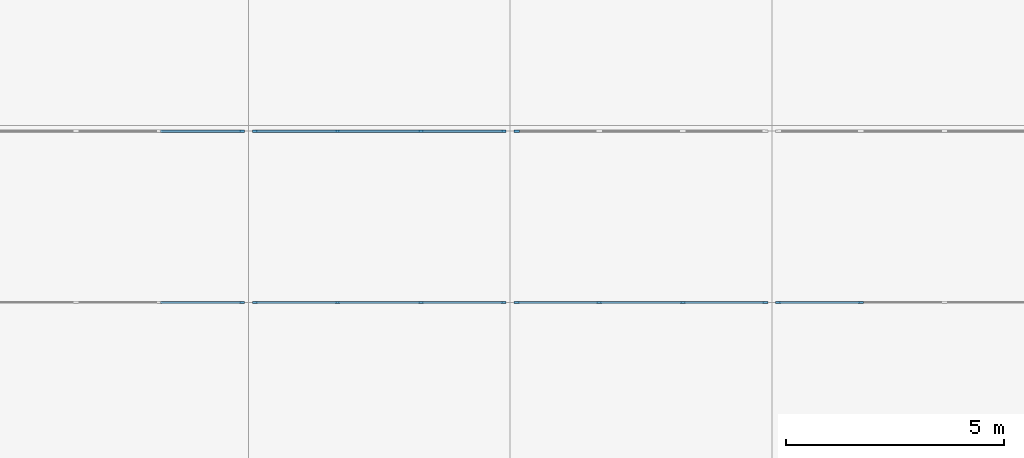
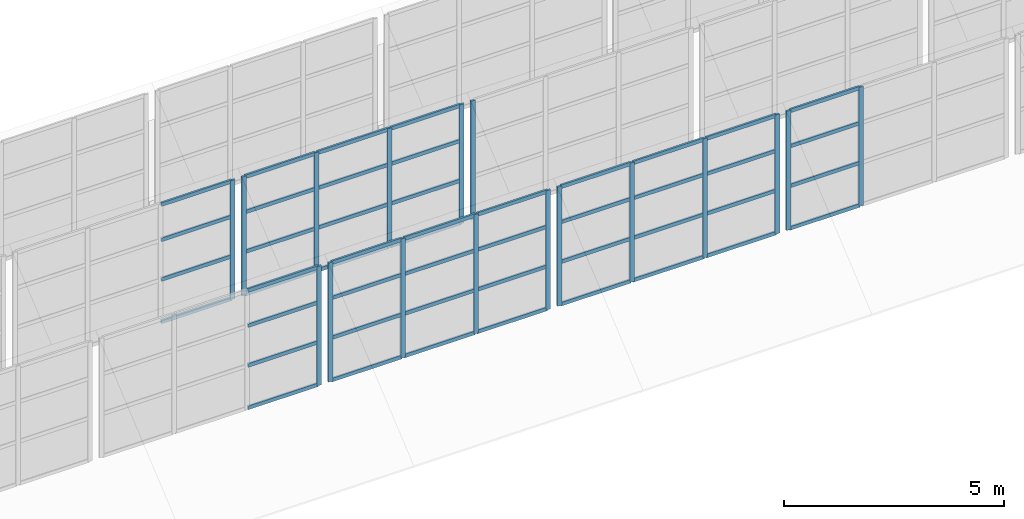
# One storey, part 29 of 122: 65 members, 7 elements without a shape of their own.
"""IFC4 building model written with IfcOpenShell, lengths in metres."""

import ifcopenshell
import ifcopenshell.guid

model = None  # the IFC model being written
_history = None  # IfcOwnerHistory: only IFC2X3 demands one
_inside = {}  # id of a spatial element -> (the spatial element, [elements in it])
_under = {}  # id of a project, library or spatial element -> (it, [spatial elements below it])
_declared = {}  # id of a project -> (the project, [libraries it declares])
_typed = {}  # id of a type object -> (the type object, [elements of that type])
_made_of = {}  # id of a material, layer set ... -> (it, [elements and type objects made of it])


def new_model(schema):
    """Start an empty IFC model of exactly this schema.

    Asked for "IFC4X3", IfcOpenShell would pick the latest addendum, in which some entities
    have other attributes; the version numbers below select the first issue.
    IFC2X3 requires an IfcOwnerHistory on every rooted entity: one is made here for all.
    """
    global model, _history
    if schema == "IFC4X3":
        model = ifcopenshell.file(schema_version=(4, 3, 0, 0))
    else:
        model = ifcopenshell.file(schema=schema)
    _inside.clear()
    _under.clear()
    _declared.clear()
    _typed.clear()
    _made_of.clear()
    _history = None
    if model.schema == "IFC2X3":
        org = make("IfcOrganization", Name="unknown")
        user = make(
            "IfcPersonAndOrganization",
            ThePerson=make("IfcPerson", FamilyName="unknown"),
            TheOrganization=org,
        )
        app = make(
            "IfcApplication",
            ApplicationDeveloper=org,
            Version="unknown",
            ApplicationFullName="unknown",
            ApplicationIdentifier="unknown",
        )
        _history = make(
            "IfcOwnerHistory",
            OwningUser=user,
            OwningApplication=app,
            ChangeAction="ADDED",
            CreationDate=0,
        )
    return model


def make(cls, **values):
    """One entity of the class cls with the attributes given. An attribute that is None is left unset."""
    return model.create_entity(
        cls, **{name: value for name, value in values.items() if value is not None}
    )


def rooted(cls, **values):
    """An entity with a GlobalId (a new one), such as an element, a storey or a relation."""
    return make(cls, GlobalId=ifcopenshell.guid.new(), OwnerHistory=_history, **values)


def si_unit(unit_type, name, prefix=None):
    """IfcSIUnit, for example si_unit("LENGTHUNIT", "METRE", prefix="MILLI")."""
    return make("IfcSIUnit", UnitType=unit_type, Prefix=prefix, Name=name)


def assignment(units):
    """IfcUnitAssignment: the units of a project."""
    return None if units is None else make("IfcUnitAssignment", Units=units)


def point(xyz):
    """IfcCartesianPoint."""
    return None if xyz is None else make("IfcCartesianPoint", Coordinates=xyz)


def direction(xyz):
    """IfcDirection."""
    return None if xyz is None else make("IfcDirection", DirectionRatios=xyz)


def frame(location, z_axis=None, x_axis=None):
    """IfcAxis2Placement3D, a coordinate frame: its origin and axes. An axis left out is left unset."""
    return make(
        "IfcAxis2Placement3D",
        Location=point(location),
        Axis=direction(z_axis),
        RefDirection=direction(x_axis),
    )


def frame_2d(location, x_axis=None):
    """IfcAxis2Placement2D, a coordinate frame in the plane: its origin and x axis."""
    return make(
        "IfcAxis2Placement2D", Location=point(location), RefDirection=direction(x_axis)
    )


def origin():
    """The frame at (0, 0, 0) with its axes left unset."""
    return frame((0.0, 0.0, 0.0))


def origin_2d():
    """The frame at (0, 0) in the plane with its x axis left unset."""
    return frame_2d((0.0, 0.0))


def place(relative_to, where):
    """IfcLocalPlacement: puts the frame where relative to a parent placement (None: the world)."""
    return make(
        "IfcLocalPlacement", PlacementRelTo=relative_to, RelativePlacement=where
    )


def context(
    kind, dimensions, precision=None, world=None, true_north=None, identifier=None
):
    """IfcGeometricRepresentationContext, for example the 3D "Model" context."""
    return make(
        "IfcGeometricRepresentationContext",
        ContextIdentifier=identifier,
        ContextType=kind,
        CoordinateSpaceDimension=dimensions,
        Precision=precision,
        WorldCoordinateSystem=world,
        TrueNorth=true_north,
    )


def subcontext(parent, identifier, kind, view, scale=None):
    """IfcGeometricRepresentationSubContext, for example "Body" below "Model"."""
    return make(
        "IfcGeometricRepresentationSubContext",
        ContextIdentifier=identifier,
        ContextType=kind,
        ParentContext=parent,
        TargetScale=scale,
        TargetView=view,
    )


def project(units=None, contexts=None):
    """IfcProject with its units and contexts."""
    return rooted(
        "IfcProject",
        Name="project",
        RepresentationContexts=contexts,
        UnitsInContext=assignment(units),
    )


def spatial(cls, under=None, at=None, **own):
    """A site, building, storey or space (cls), placed at a placement, below another one or the project."""
    s = rooted(cls, ObjectPlacement=at, **own)
    if under is not None:
        _under.setdefault(under.id(), (under, []))[1].append(s)
    return s


def profile(cls, at=None, kind="AREA", **sizes):
    """A parametric profile (cls). Its sizes go by their IFC names, for example OverallWidth=200.0."""
    return make(cls, ProfileType=kind, Position=at, **sizes)


def rectangle(**sizes):
    """IfcRectangleProfileDef."""
    return profile("IfcRectangleProfileDef", **sizes)


def extrude(swept, where, along, depth):
    """IfcExtrudedAreaSolid: the profile swept, set in the frame where, extruded along a direction by depth."""
    return make(
        "IfcExtrudedAreaSolid",
        SweptArea=swept,
        Position=where,
        ExtrudedDirection=direction(along),
        Depth=depth,
    )


def shape(context_of_items, identifier, shape_type, items):
    """IfcShapeRepresentation: the items that make up one representation, for example the "Body"."""
    return make(
        "IfcShapeRepresentation",
        ContextOfItems=context_of_items,
        RepresentationIdentifier=identifier,
        RepresentationType=shape_type,
        Items=items,
    )


def material(Name=None, Category=None):
    """IfcMaterial."""
    return make("IfcMaterial", Name=Name, Category=Category)


def layer(
    of_material, thickness, ventilated=None, Name=None, Category=None, Priority=None
):
    """IfcMaterialLayer: one layer of a wall or slab, of a material (None: an air gap)."""
    return make(
        "IfcMaterialLayer",
        Material=of_material,
        LayerThickness=thickness,
        IsVentilated=ventilated,
        Name=Name,
        Category=Category,
        Priority=Priority,
    )


def layer_set(layers, Name=None):
    """IfcMaterialLayerSet."""
    return make("IfcMaterialLayerSet", MaterialLayers=layers, LayerSetName=Name)


def material_profile(
    of_material, cross_section, Name=None, Category=None, Priority=None
):
    """IfcMaterialProfile: a cross section and its material."""
    return make(
        "IfcMaterialProfile",
        Name=Name,
        Material=of_material,
        Profile=cross_section,
        Priority=Priority,
        Category=Category,
    )


def profile_set(profiles, Name=None, composite=None):
    """IfcMaterialProfileSet."""
    return make(
        "IfcMaterialProfileSet",
        Name=Name,
        MaterialProfiles=profiles,
        CompositeProfile=composite,
    )


def made_of(thing, what):
    """Note that an element or type object is made of a material, layer set ...; save() writes the relation."""
    if what is not None:
        _made_of.setdefault(what.id(), (what, []))[1].append(thing)
    return thing


def type_object(cls, material=None, **own):
    """A type object (cls), such as IfcWallType, which elements share."""
    return made_of(rooted(cls, **own), material)


def element(
    cls,
    number,
    at=None,
    inside=None,
    cuts=None,
    type_object=None,
    material=None,
    context=None,
    identifier="Body",
    shape_type=None,
    held_by="IfcProductDefinitionShape",
    body=None,
    shapes=None,
    **own,
):
    """One element of the class cls, such as IfcWall. Its Tag is "e" and its number.

    at: its placement. inside: the storey or other place that contains it. cuts: it is an
    opening in that element (IfcRelVoidsElement). A single representation is given by context,
    identifier, shape_type and body (its items); several are given by shapes. held_by: the class
    of the entity that holds the representations. save() writes the other relations.
    """
    e = rooted(cls, Tag="e%d" % number, ObjectPlacement=at, **own)
    if body is not None:
        shapes = [shape(context, identifier, shape_type, body)]
    if shapes is not None:
        e.Representation = make(held_by, Representations=shapes)
    if inside is not None:
        _inside.setdefault(inside.id(), (inside, []))[1].append(e)
    if cuts is not None:
        rooted(
            "IfcRelVoidsElement", RelatingBuildingElement=cuts, RelatedOpeningElement=e
        )
    if type_object is not None:
        _typed.setdefault(type_object.id(), (type_object, []))[1].append(e)
    return made_of(e, material)


def aggregate(whole, parts):
    """IfcRelAggregates: a whole, such as a stair, and the parts it consists of."""
    return rooted("IfcRelAggregates", RelatingObject=whole, RelatedObjects=parts)


def save(model, path):
    """Write the relations noted so far, then the file.

    IfcRelAggregates (storeys below a building ...), IfcRelContainedInSpatialStructure (elements
    in a storey), IfcRelDefinesByType, IfcRelAssociatesMaterial and IfcRelDeclares: one each for
    every whole, place, type object, material and project.
    """
    for whole, parts in _under.values():
        aggregate(whole, parts)
    for where, things in _inside.values():
        rooted(
            "IfcRelContainedInSpatialStructure",
            RelatedElements=things,
            RelatingStructure=where,
        )
    for kind, things in _typed.values():
        rooted("IfcRelDefinesByType", RelatedObjects=things, RelatingType=kind)
    for what, things in _made_of.values():
        rooted("IfcRelAssociatesMaterial", RelatedObjects=things, RelatingMaterial=what)
    for by, libraries in _declared.values():
        rooted("IfcRelDeclares", RelatingContext=by, RelatedDefinitions=libraries)
    model.write(path)


model = new_model("IFC4")

# Units and contexts
model_context = context("Model", 3, precision=1e-05, world=origin(), true_north=direction((0.0, 1.0)))
body_context = subcontext(model_context, "Body", "Model", "MODEL_VIEW")
ifc_project = project(units=[si_unit("LENGTHUNIT", "METRE"), si_unit("AREAUNIT", "SQUARE_METRE"), si_unit("VOLUMEUNIT", "CUBIC_METRE"), si_unit("PLANEANGLEUNIT", "RADIAN"), si_unit("MASSUNIT", "GRAM", prefix="KILO")], contexts=[model_context])

# Site, building, storey
site_placement = place(None, origin())
site = spatial("IfcSite", under=ifc_project, at=site_placement, CompositionType="ELEMENT")
building_placement = place(site_placement, origin())
building = spatial("IfcBuilding", under=site, at=building_placement, Name="Ridgestep Commons", CompositionType="ELEMENT")
storey_placement = place(building_placement, frame((0.0, 0.0, 3.0)))
storey = spatial("IfcBuildingStorey", under=building, at=storey_placement, Name="L01", CompositionType="ELEMENT", Elevation=3.0)

# Curtain wall, member
ifc_material_1 = material(Name="Aluminium and glass", Category="aluminium")
ifc_layer = layer(ifc_material_1, 0.14990234375)
ifc_layer_set = layer_set([ifc_layer], Name="Shop clerestory curtain wall")
curtain_wall_type = type_object("IfcCurtainWallType", Name="Shop clerestory curtain wall", PredefinedType="NOTDEFINED", material=ifc_layer_set)
curtain_wall_1_placement = place(storey_placement, origin())
curtain_wall_1 = element("IfcCurtainWall", 1, at=curtain_wall_1_placement, inside=storey, type_object=curtain_wall_type, Name="Shop clerestory curtain wall", PredefinedType="NOTDEFINED")
ifc_material_2 = material(Name="Aluminium", Category="aluminium")
ifc_material_profile_1 = material_profile(ifc_material_2, rectangle(XDim=0.050048828125, YDim=0.1201171875, at=origin_2d()), Name="Shop clerestory mullion 50 x 120")
ifc_profile_set_1 = profile_set([ifc_material_profile_1], Name="Aluminium")
member_type_1 = type_object("IfcMemberType", Name="Shop clerestory mullion 50 x 120", PredefinedType="MULLION", material=ifc_profile_set_1)
member_1_placement = place(storey_placement, frame((193.64990234375, 38.050048828125, 1.199951171875), z_axis=(0.0, 0.0, 1.0), x_axis=(0.0, 1.0, 0.0)))
member_1 = element("IfcMember", 2, at=member_1_placement, type_object=member_type_1, Name="CW5 mullion 4", PredefinedType="MULLION", context=body_context, shape_type="SweptSolid", body=[
    extrude(rectangle(XDim=0.050048828125, YDim=0.1201171875, at=origin_2d()), origin(), (0.0, 0.0, 1.0), 3.300048828125),
])

curtain_wall_2_placement = place(storey_placement, origin())
curtain_wall_2 = element("IfcCurtainWall", 3, at=curtain_wall_2_placement, inside=storey, type_object=curtain_wall_type, Name="Shop clerestory curtain wall", PredefinedType="NOTDEFINED")
member_2_placement = place(storey_placement, frame((193.64990234375, 41.97509765625, 1.199951171875), z_axis=(0.0, 0.0, 1.0), x_axis=(0.0, 1.0, 0.0)))
member_2 = element("IfcMember", 4, at=member_2_placement, type_object=member_type_1, Name="CW5 mullion 4", PredefinedType="MULLION", context=body_context, shape_type="SweptSolid", body=[
    extrude(rectangle(XDim=0.050048828125, YDim=0.1201171875, at=origin_2d()), origin(), (0.0, 0.0, 1.0), 3.300048828125),
])

# Curtain wall, members
curtain_wall_3_placement = place(storey_placement, origin())
curtain_wall_3 = element("IfcCurtainWall", 5, at=curtain_wall_3_placement, inside=storey, type_object=curtain_wall_type, Name="Shop clerestory curtain wall", PredefinedType="NOTDEFINED")
member_3_placement = place(storey_placement, frame((193.949951171875, 38.050048828125, 1.199951171875), z_axis=(0.0, 0.0, 1.0), x_axis=(0.0, 1.0, 0.0)))
member_3 = element("IfcMember", 6, at=member_3_placement, type_object=member_type_1, Name="CW5 mullion 1", PredefinedType="MULLION", context=body_context, shape_type="SweptSolid", body=[
    extrude(rectangle(XDim=0.050048828125, YDim=0.1201171875, at=origin_2d()), origin(), (0.0, 0.0, 1.0), 3.300048828125),
])
member_4_placement = place(storey_placement, frame((195.841552734375, 38.050048828125, 1.199951171875), z_axis=(0.0, 0.0, 1.0), x_axis=(0.0, 1.0, 0.0)))
member_4 = element("IfcMember", 7, at=member_4_placement, type_object=member_type_1, Name="CW5 mullion 2", PredefinedType="MULLION", context=body_context, shape_type="SweptSolid", body=[
    extrude(rectangle(XDim=0.050048828125, YDim=0.1201171875, at=origin_2d()), origin(), (0.0, 0.0, 1.0), 3.300048828125),
])
member_5_placement = place(storey_placement, frame((197.75830078125, 38.050048828125, 1.199951171875), z_axis=(0.0, 0.0, 1.0), x_axis=(0.0, 1.0, 0.0)))
member_5 = element("IfcMember", 8, at=member_5_placement, type_object=member_type_1, Name="CW5 mullion 3", PredefinedType="MULLION", context=body_context, shape_type="SweptSolid", body=[
    extrude(rectangle(XDim=0.050048828125, YDim=0.1201171875, at=origin_2d()), origin(), (0.0, 0.0, 1.0), 3.300048828125),
])
member_6_placement = place(storey_placement, frame((199.64990234375, 38.050048828125, 1.199951171875), z_axis=(0.0, 0.0, 1.0), x_axis=(0.0, 1.0, 0.0)))
member_6 = element("IfcMember", 9, at=member_6_placement, type_object=member_type_1, Name="CW5 mullion 4", PredefinedType="MULLION", context=body_context, shape_type="SweptSolid", body=[
    extrude(rectangle(XDim=0.050048828125, YDim=0.1201171875, at=origin_2d()), origin(), (0.0, 0.0, 1.0), 3.300048828125),
])

curtain_wall_4_placement = place(storey_placement, origin())
curtain_wall_4 = element("IfcCurtainWall", 10, at=curtain_wall_4_placement, inside=storey, type_object=curtain_wall_type, Name="Shop clerestory curtain wall", PredefinedType="NOTDEFINED")
member_7_placement = place(storey_placement, frame((193.949951171875, 41.97509765625, 1.199951171875), z_axis=(0.0, 0.0, 1.0), x_axis=(0.0, 1.0, 0.0)))
member_7 = element("IfcMember", 11, at=member_7_placement, type_object=member_type_1, Name="CW5 mullion 1", PredefinedType="MULLION", context=body_context, shape_type="SweptSolid", body=[
    extrude(rectangle(XDim=0.050048828125, YDim=0.1201171875, at=origin_2d()), origin(), (0.0, 0.0, 1.0), 3.300048828125),
])
member_8_placement = place(storey_placement, frame((195.841552734375, 41.97509765625, 1.199951171875), z_axis=(0.0, 0.0, 1.0), x_axis=(0.0, 1.0, 0.0)))
member_8 = element("IfcMember", 12, at=member_8_placement, type_object=member_type_1, Name="CW5 mullion 2", PredefinedType="MULLION", context=body_context, shape_type="SweptSolid", body=[
    extrude(rectangle(XDim=0.050048828125, YDim=0.1201171875, at=origin_2d()), origin(), (0.0, 0.0, 1.0), 3.300048828125),
])
member_9_placement = place(storey_placement, frame((197.75830078125, 41.97509765625, 1.199951171875), z_axis=(0.0, 0.0, 1.0), x_axis=(0.0, 1.0, 0.0)))
member_9 = element("IfcMember", 13, at=member_9_placement, type_object=member_type_1, Name="CW5 mullion 3", PredefinedType="MULLION", context=body_context, shape_type="SweptSolid", body=[
    extrude(rectangle(XDim=0.050048828125, YDim=0.1201171875, at=origin_2d()), origin(), (0.0, 0.0, 1.0), 3.300048828125),
])
member_10_placement = place(storey_placement, frame((199.64990234375, 41.97509765625, 1.199951171875), z_axis=(0.0, 0.0, 1.0), x_axis=(0.0, 1.0, 0.0)))
member_10 = element("IfcMember", 14, at=member_10_placement, type_object=member_type_1, Name="CW5 mullion 4", PredefinedType="MULLION", context=body_context, shape_type="SweptSolid", body=[
    extrude(rectangle(XDim=0.050048828125, YDim=0.1201171875, at=origin_2d()), origin(), (0.0, 0.0, 1.0), 3.300048828125),
])

curtain_wall_5_placement = place(storey_placement, origin())
curtain_wall_5 = element("IfcCurtainWall", 15, at=curtain_wall_5_placement, inside=storey, type_object=curtain_wall_type, Name="Shop clerestory curtain wall", PredefinedType="NOTDEFINED")
member_11_placement = place(storey_placement, frame((199.949951171875, 38.050048828125, 1.199951171875), z_axis=(0.0, 0.0, 1.0), x_axis=(0.0, 1.0, 0.0)))
member_11 = element("IfcMember", 16, at=member_11_placement, type_object=member_type_1, Name="CW5 mullion 1", PredefinedType="MULLION", context=body_context, shape_type="SweptSolid", body=[
    extrude(rectangle(XDim=0.050048828125, YDim=0.1201171875, at=origin_2d()), origin(), (0.0, 0.0, 1.0), 3.300048828125),
])
member_12_placement = place(storey_placement, frame((201.841552734375, 38.050048828125, 1.199951171875), z_axis=(0.0, 0.0, 1.0), x_axis=(0.0, 1.0, 0.0)))
member_12 = element("IfcMember", 17, at=member_12_placement, type_object=member_type_1, Name="CW5 mullion 2", PredefinedType="MULLION", context=body_context, shape_type="SweptSolid", body=[
    extrude(rectangle(XDim=0.050048828125, YDim=0.1201171875, at=origin_2d()), origin(), (0.0, 0.0, 1.0), 3.300048828125),
])
member_13_placement = place(storey_placement, frame((203.75830078125, 38.050048828125, 1.199951171875), z_axis=(0.0, 0.0, 1.0), x_axis=(0.0, 1.0, 0.0)))
member_13 = element("IfcMember", 18, at=member_13_placement, type_object=member_type_1, Name="CW5 mullion 3", PredefinedType="MULLION", context=body_context, shape_type="SweptSolid", body=[
    extrude(rectangle(XDim=0.050048828125, YDim=0.1201171875, at=origin_2d()), origin(), (0.0, 0.0, 1.0), 3.300048828125),
])
member_14_placement = place(storey_placement, frame((205.64990234375, 38.050048828125, 1.199951171875), z_axis=(0.0, 0.0, 1.0), x_axis=(0.0, 1.0, 0.0)))
member_14 = element("IfcMember", 19, at=member_14_placement, type_object=member_type_1, Name="CW5 mullion 4", PredefinedType="MULLION", context=body_context, shape_type="SweptSolid", body=[
    extrude(rectangle(XDim=0.050048828125, YDim=0.1201171875, at=origin_2d()), origin(), (0.0, 0.0, 1.0), 3.300048828125),
])

# Curtain wall, member
curtain_wall_6_placement = place(storey_placement, origin())
curtain_wall_6 = element("IfcCurtainWall", 20, at=curtain_wall_6_placement, inside=storey, type_object=curtain_wall_type, Name="Shop clerestory curtain wall", PredefinedType="NOTDEFINED")
member_15_placement = place(storey_placement, frame((199.949951171875, 41.97509765625, 1.199951171875), z_axis=(0.0, 0.0, 1.0), x_axis=(0.0, 1.0, 0.0)))
member_15 = element("IfcMember", 21, at=member_15_placement, type_object=member_type_1, Name="CW5 mullion 1", PredefinedType="MULLION", context=body_context, shape_type="SweptSolid", body=[
    extrude(rectangle(XDim=0.050048828125, YDim=0.1201171875, at=origin_2d()), origin(), (0.0, 0.0, 1.0), 3.300048828125),
])
aggregate(curtain_wall_6, [member_15])

# Curtain wall, members
curtain_wall_7_placement = place(storey_placement, origin())
curtain_wall_7 = element("IfcCurtainWall", 22, at=curtain_wall_7_placement, inside=storey, type_object=curtain_wall_type, Name="Shop clerestory curtain wall", PredefinedType="NOTDEFINED")
member_16_placement = place(storey_placement, frame((205.949951171875, 38.050048828125, 1.199951171875), z_axis=(0.0, 0.0, 1.0), x_axis=(0.0, 1.0, 0.0)))
member_16 = element("IfcMember", 23, at=member_16_placement, type_object=member_type_1, Name="CW5 mullion 1", PredefinedType="MULLION", context=body_context, shape_type="SweptSolid", body=[
    extrude(rectangle(XDim=0.050048828125, YDim=0.1201171875, at=origin_2d()), origin(), (0.0, 0.0, 1.0), 3.300048828125),
])
member_17_placement = place(storey_placement, frame((207.841552734375, 38.050048828125, 1.199951171875), z_axis=(0.0, 0.0, 1.0), x_axis=(0.0, 1.0, 0.0)))
member_17 = element("IfcMember", 24, at=member_17_placement, type_object=member_type_1, Name="CW5 mullion 2", PredefinedType="MULLION", context=body_context, shape_type="SweptSolid", body=[
    extrude(rectangle(XDim=0.050048828125, YDim=0.1201171875, at=origin_2d()), origin(), (0.0, 0.0, 1.0), 3.300048828125),
])

# Member
ifc_material_3 = material(Name="Aluminium", Category="aluminium")
ifc_material_profile_2 = material_profile(ifc_material_3, rectangle(XDim=0.050048828125, YDim=0.10009765625, at=origin_2d()), Name="Shop clerestory transom 50 x 100")
ifc_profile_set_2 = profile_set([ifc_material_profile_2], Name="Aluminium")
member_type_2 = type_object("IfcMemberType", Name="Shop clerestory transom 50 x 100", PredefinedType="USERDEFINED", material=ifc_profile_set_2)
member_18_placement = place(storey_placement, frame((191.783447265625, 38.050048828125, 1.22509765625), z_axis=(1.0, 0.0, 0.0), x_axis=(0.0, 1.0, 0.0)))
member_18 = element("IfcMember", 25, at=member_18_placement, type_object=member_type_2, Name="CW5 transom 3.1", ObjectType="TRANSOM", PredefinedType="USERDEFINED", context=body_context, shape_type="SweptSolid", body=[
    extrude(rectangle(XDim=0.050048828125, YDim=0.10009765625, at=origin_2d()), origin(), (0.0, 0.0, 1.0), 1.841552734375),
])

member_19_placement = place(storey_placement, frame((191.783447265625, 38.050048828125, 2.39990234375), z_axis=(1.0, 0.0, 0.0), x_axis=(0.0, 1.0, 0.0)))
member_19 = element("IfcMember", 26, at=member_19_placement, type_object=member_type_2, Name="CW5 transom 3.2", ObjectType="TRANSOM", PredefinedType="USERDEFINED", context=body_context, shape_type="SweptSolid", body=[
    extrude(rectangle(XDim=0.050048828125, YDim=0.10009765625, at=origin_2d()), origin(), (0.0, 0.0, 1.0), 1.841552734375),
])

member_20_placement = place(storey_placement, frame((191.783447265625, 38.050048828125, 3.5), z_axis=(1.0, 0.0, 0.0), x_axis=(0.0, 1.0, 0.0)))
member_20 = element("IfcMember", 27, at=member_20_placement, type_object=member_type_2, Name="CW5 transom 3.3", ObjectType="TRANSOM", PredefinedType="USERDEFINED", context=body_context, shape_type="SweptSolid", body=[
    extrude(rectangle(XDim=0.050048828125, YDim=0.10009765625, at=origin_2d()), origin(), (0.0, 0.0, 1.0), 1.841552734375),
])

member_21_placement = place(storey_placement, frame((191.783447265625, 38.050048828125, 4.47509765625), z_axis=(1.0, 0.0, 0.0), x_axis=(0.0, 1.0, 0.0)))
member_21 = element("IfcMember", 28, at=member_21_placement, type_object=member_type_2, Name="CW5 transom 3.4", ObjectType="TRANSOM", PredefinedType="USERDEFINED", context=body_context, shape_type="SweptSolid", body=[
    extrude(rectangle(XDim=0.050048828125, YDim=0.10009765625, at=origin_2d()), origin(), (0.0, 0.0, 1.0), 1.841552734375),
])

aggregate(curtain_wall_1, [member_1, member_18, member_19, member_20, member_21])

member_22_placement = place(storey_placement, frame((191.783447265625, 41.97509765625, 1.22509765625), z_axis=(1.0, 0.0, 0.0), x_axis=(0.0, 1.0, 0.0)))
member_22 = element("IfcMember", 29, at=member_22_placement, type_object=member_type_2, Name="CW5 transom 3.1", ObjectType="TRANSOM", PredefinedType="USERDEFINED", context=body_context, shape_type="SweptSolid", body=[
    extrude(rectangle(XDim=0.050048828125, YDim=0.10009765625, at=origin_2d()), origin(), (0.0, 0.0, 1.0), 1.841552734375),
])

member_23_placement = place(storey_placement, frame((191.783447265625, 41.97509765625, 2.39990234375), z_axis=(1.0, 0.0, 0.0), x_axis=(0.0, 1.0, 0.0)))
member_23 = element("IfcMember", 30, at=member_23_placement, type_object=member_type_2, Name="CW5 transom 3.2", ObjectType="TRANSOM", PredefinedType="USERDEFINED", context=body_context, shape_type="SweptSolid", body=[
    extrude(rectangle(XDim=0.050048828125, YDim=0.10009765625, at=origin_2d()), origin(), (0.0, 0.0, 1.0), 1.841552734375),
])

member_24_placement = place(storey_placement, frame((191.783447265625, 41.97509765625, 3.5), z_axis=(1.0, 0.0, 0.0), x_axis=(0.0, 1.0, 0.0)))
member_24 = element("IfcMember", 31, at=member_24_placement, type_object=member_type_2, Name="CW5 transom 3.3", ObjectType="TRANSOM", PredefinedType="USERDEFINED", context=body_context, shape_type="SweptSolid", body=[
    extrude(rectangle(XDim=0.050048828125, YDim=0.10009765625, at=origin_2d()), origin(), (0.0, 0.0, 1.0), 1.841552734375),
])

member_25_placement = place(storey_placement, frame((191.783447265625, 41.97509765625, 4.47509765625), z_axis=(1.0, 0.0, 0.0), x_axis=(0.0, 1.0, 0.0)))
member_25 = element("IfcMember", 32, at=member_25_placement, type_object=member_type_2, Name="CW5 transom 3.4", ObjectType="TRANSOM", PredefinedType="USERDEFINED", context=body_context, shape_type="SweptSolid", body=[
    extrude(rectangle(XDim=0.050048828125, YDim=0.10009765625, at=origin_2d()), origin(), (0.0, 0.0, 1.0), 1.841552734375),
])

aggregate(curtain_wall_2, [member_2, member_22, member_23, member_24, member_25])

member_26_placement = place(storey_placement, frame((193.97509765625, 38.050048828125, 1.22509765625), z_axis=(1.0, 0.0, 0.0), x_axis=(0.0, 1.0, 0.0)))
member_26 = element("IfcMember", 33, at=member_26_placement, type_object=member_type_2, Name="CW5 transom 1.1", ObjectType="TRANSOM", PredefinedType="USERDEFINED", context=body_context, shape_type="SweptSolid", body=[
    extrude(rectangle(XDim=0.050048828125, YDim=0.10009765625, at=origin_2d()), origin(), (0.0, 0.0, 1.0), 1.841552734375),
])

member_27_placement = place(storey_placement, frame((193.97509765625, 38.050048828125, 2.39990234375), z_axis=(1.0, 0.0, 0.0), x_axis=(0.0, 1.0, 0.0)))
member_27 = element("IfcMember", 34, at=member_27_placement, type_object=member_type_2, Name="CW5 transom 1.2", ObjectType="TRANSOM", PredefinedType="USERDEFINED", context=body_context, shape_type="SweptSolid", body=[
    extrude(rectangle(XDim=0.050048828125, YDim=0.10009765625, at=origin_2d()), origin(), (0.0, 0.0, 1.0), 1.841552734375),
])

member_28_placement = place(storey_placement, frame((193.97509765625, 38.050048828125, 3.5), z_axis=(1.0, 0.0, 0.0), x_axis=(0.0, 1.0, 0.0)))
member_28 = element("IfcMember", 35, at=member_28_placement, type_object=member_type_2, Name="CW5 transom 1.3", ObjectType="TRANSOM", PredefinedType="USERDEFINED", context=body_context, shape_type="SweptSolid", body=[
    extrude(rectangle(XDim=0.050048828125, YDim=0.10009765625, at=origin_2d()), origin(), (0.0, 0.0, 1.0), 1.841552734375),
])

member_29_placement = place(storey_placement, frame((193.97509765625, 38.050048828125, 4.47509765625), z_axis=(1.0, 0.0, 0.0), x_axis=(0.0, 1.0, 0.0)))
member_29 = element("IfcMember", 36, at=member_29_placement, type_object=member_type_2, Name="CW5 transom 1.4", ObjectType="TRANSOM", PredefinedType="USERDEFINED", context=body_context, shape_type="SweptSolid", body=[
    extrude(rectangle(XDim=0.050048828125, YDim=0.10009765625, at=origin_2d()), origin(), (0.0, 0.0, 1.0), 1.841552734375),
])

member_30_placement = place(storey_placement, frame((195.86669921875, 38.050048828125, 1.22509765625), z_axis=(1.0, 0.0, 0.0), x_axis=(0.0, 1.0, 0.0)))
member_30 = element("IfcMember", 37, at=member_30_placement, type_object=member_type_2, Name="CW5 transom 2.1", ObjectType="TRANSOM", PredefinedType="USERDEFINED", context=body_context, shape_type="SweptSolid", body=[
    extrude(rectangle(XDim=0.050048828125, YDim=0.10009765625, at=origin_2d()), origin(), (0.0, 0.0, 1.0), 1.86669921875),
])

member_31_placement = place(storey_placement, frame((195.86669921875, 38.050048828125, 2.39990234375), z_axis=(1.0, 0.0, 0.0), x_axis=(0.0, 1.0, 0.0)))
member_31 = element("IfcMember", 38, at=member_31_placement, type_object=member_type_2, Name="CW5 transom 2.2", ObjectType="TRANSOM", PredefinedType="USERDEFINED", context=body_context, shape_type="SweptSolid", body=[
    extrude(rectangle(XDim=0.050048828125, YDim=0.10009765625, at=origin_2d()), origin(), (0.0, 0.0, 1.0), 1.86669921875),
])

member_32_placement = place(storey_placement, frame((195.86669921875, 38.050048828125, 3.5), z_axis=(1.0, 0.0, 0.0), x_axis=(0.0, 1.0, 0.0)))
member_32 = element("IfcMember", 39, at=member_32_placement, type_object=member_type_2, Name="CW5 transom 2.3", ObjectType="TRANSOM", PredefinedType="USERDEFINED", context=body_context, shape_type="SweptSolid", body=[
    extrude(rectangle(XDim=0.050048828125, YDim=0.10009765625, at=origin_2d()), origin(), (0.0, 0.0, 1.0), 1.86669921875),
])

member_33_placement = place(storey_placement, frame((195.86669921875, 38.050048828125, 4.47509765625), z_axis=(1.0, 0.0, 0.0), x_axis=(0.0, 1.0, 0.0)))
member_33 = element("IfcMember", 40, at=member_33_placement, type_object=member_type_2, Name="CW5 transom 2.4", ObjectType="TRANSOM", PredefinedType="USERDEFINED", context=body_context, shape_type="SweptSolid", body=[
    extrude(rectangle(XDim=0.050048828125, YDim=0.10009765625, at=origin_2d()), origin(), (0.0, 0.0, 1.0), 1.86669921875),
])

member_34_placement = place(storey_placement, frame((197.783447265625, 38.050048828125, 1.22509765625), z_axis=(1.0, 0.0, 0.0), x_axis=(0.0, 1.0, 0.0)))
member_34 = element("IfcMember", 41, at=member_34_placement, type_object=member_type_2, Name="CW5 transom 3.1", ObjectType="TRANSOM", PredefinedType="USERDEFINED", context=body_context, shape_type="SweptSolid", body=[
    extrude(rectangle(XDim=0.050048828125, YDim=0.10009765625, at=origin_2d()), origin(), (0.0, 0.0, 1.0), 1.841552734375),
])

member_35_placement = place(storey_placement, frame((197.783447265625, 38.050048828125, 2.39990234375), z_axis=(1.0, 0.0, 0.0), x_axis=(0.0, 1.0, 0.0)))
member_35 = element("IfcMember", 42, at=member_35_placement, type_object=member_type_2, Name="CW5 transom 3.2", ObjectType="TRANSOM", PredefinedType="USERDEFINED", context=body_context, shape_type="SweptSolid", body=[
    extrude(rectangle(XDim=0.050048828125, YDim=0.10009765625, at=origin_2d()), origin(), (0.0, 0.0, 1.0), 1.841552734375),
])

member_36_placement = place(storey_placement, frame((197.783447265625, 38.050048828125, 3.5), z_axis=(1.0, 0.0, 0.0), x_axis=(0.0, 1.0, 0.0)))
member_36 = element("IfcMember", 43, at=member_36_placement, type_object=member_type_2, Name="CW5 transom 3.3", ObjectType="TRANSOM", PredefinedType="USERDEFINED", context=body_context, shape_type="SweptSolid", body=[
    extrude(rectangle(XDim=0.050048828125, YDim=0.10009765625, at=origin_2d()), origin(), (0.0, 0.0, 1.0), 1.841552734375),
])

member_37_placement = place(storey_placement, frame((197.783447265625, 38.050048828125, 4.47509765625), z_axis=(1.0, 0.0, 0.0), x_axis=(0.0, 1.0, 0.0)))
member_37 = element("IfcMember", 44, at=member_37_placement, type_object=member_type_2, Name="CW5 transom 3.4", ObjectType="TRANSOM", PredefinedType="USERDEFINED", context=body_context, shape_type="SweptSolid", body=[
    extrude(rectangle(XDim=0.050048828125, YDim=0.10009765625, at=origin_2d()), origin(), (0.0, 0.0, 1.0), 1.841552734375),
])

aggregate(curtain_wall_3, [member_3, member_4, member_5, member_6, member_26, member_27, member_28, member_29, member_30, member_31, member_32, member_33, member_34, member_35, member_36, member_37])

member_38_placement = place(storey_placement, frame((193.97509765625, 41.97509765625, 1.22509765625), z_axis=(1.0, 0.0, 0.0), x_axis=(0.0, 1.0, 0.0)))
member_38 = element("IfcMember", 45, at=member_38_placement, type_object=member_type_2, Name="CW5 transom 1.1", ObjectType="TRANSOM", PredefinedType="USERDEFINED", context=body_context, shape_type="SweptSolid", body=[
    extrude(rectangle(XDim=0.050048828125, YDim=0.10009765625, at=origin_2d()), origin(), (0.0, 0.0, 1.0), 1.841552734375),
])

member_39_placement = place(storey_placement, frame((193.97509765625, 41.97509765625, 2.39990234375), z_axis=(1.0, 0.0, 0.0), x_axis=(0.0, 1.0, 0.0)))
member_39 = element("IfcMember", 46, at=member_39_placement, type_object=member_type_2, Name="CW5 transom 1.2", ObjectType="TRANSOM", PredefinedType="USERDEFINED", context=body_context, shape_type="SweptSolid", body=[
    extrude(rectangle(XDim=0.050048828125, YDim=0.10009765625, at=origin_2d()), origin(), (0.0, 0.0, 1.0), 1.841552734375),
])

member_40_placement = place(storey_placement, frame((193.97509765625, 41.97509765625, 3.5), z_axis=(1.0, 0.0, 0.0), x_axis=(0.0, 1.0, 0.0)))
member_40 = element("IfcMember", 47, at=member_40_placement, type_object=member_type_2, Name="CW5 transom 1.3", ObjectType="TRANSOM", PredefinedType="USERDEFINED", context=body_context, shape_type="SweptSolid", body=[
    extrude(rectangle(XDim=0.050048828125, YDim=0.10009765625, at=origin_2d()), origin(), (0.0, 0.0, 1.0), 1.841552734375),
])

member_41_placement = place(storey_placement, frame((193.97509765625, 41.97509765625, 4.47509765625), z_axis=(1.0, 0.0, 0.0), x_axis=(0.0, 1.0, 0.0)))
member_41 = element("IfcMember", 48, at=member_41_placement, type_object=member_type_2, Name="CW5 transom 1.4", ObjectType="TRANSOM", PredefinedType="USERDEFINED", context=body_context, shape_type="SweptSolid", body=[
    extrude(rectangle(XDim=0.050048828125, YDim=0.10009765625, at=origin_2d()), origin(), (0.0, 0.0, 1.0), 1.841552734375),
])

member_42_placement = place(storey_placement, frame((195.86669921875, 41.97509765625, 1.22509765625), z_axis=(1.0, 0.0, 0.0), x_axis=(0.0, 1.0, 0.0)))
member_42 = element("IfcMember", 49, at=member_42_placement, type_object=member_type_2, Name="CW5 transom 2.1", ObjectType="TRANSOM", PredefinedType="USERDEFINED", context=body_context, shape_type="SweptSolid", body=[
    extrude(rectangle(XDim=0.050048828125, YDim=0.10009765625, at=origin_2d()), origin(), (0.0, 0.0, 1.0), 1.86669921875),
])

member_43_placement = place(storey_placement, frame((195.86669921875, 41.97509765625, 2.39990234375), z_axis=(1.0, 0.0, 0.0), x_axis=(0.0, 1.0, 0.0)))
member_43 = element("IfcMember", 50, at=member_43_placement, type_object=member_type_2, Name="CW5 transom 2.2", ObjectType="TRANSOM", PredefinedType="USERDEFINED", context=body_context, shape_type="SweptSolid", body=[
    extrude(rectangle(XDim=0.050048828125, YDim=0.10009765625, at=origin_2d()), origin(), (0.0, 0.0, 1.0), 1.86669921875),
])

member_44_placement = place(storey_placement, frame((195.86669921875, 41.97509765625, 3.5), z_axis=(1.0, 0.0, 0.0), x_axis=(0.0, 1.0, 0.0)))
member_44 = element("IfcMember", 51, at=member_44_placement, type_object=member_type_2, Name="CW5 transom 2.3", ObjectType="TRANSOM", PredefinedType="USERDEFINED", context=body_context, shape_type="SweptSolid", body=[
    extrude(rectangle(XDim=0.050048828125, YDim=0.10009765625, at=origin_2d()), origin(), (0.0, 0.0, 1.0), 1.86669921875),
])

member_45_placement = place(storey_placement, frame((195.86669921875, 41.97509765625, 4.47509765625), z_axis=(1.0, 0.0, 0.0), x_axis=(0.0, 1.0, 0.0)))
member_45 = element("IfcMember", 52, at=member_45_placement, type_object=member_type_2, Name="CW5 transom 2.4", ObjectType="TRANSOM", PredefinedType="USERDEFINED", context=body_context, shape_type="SweptSolid", body=[
    extrude(rectangle(XDim=0.050048828125, YDim=0.10009765625, at=origin_2d()), origin(), (0.0, 0.0, 1.0), 1.86669921875),
])

member_46_placement = place(storey_placement, frame((197.783447265625, 41.97509765625, 1.22509765625), z_axis=(1.0, 0.0, 0.0), x_axis=(0.0, 1.0, 0.0)))
member_46 = element("IfcMember", 53, at=member_46_placement, type_object=member_type_2, Name="CW5 transom 3.1", ObjectType="TRANSOM", PredefinedType="USERDEFINED", context=body_context, shape_type="SweptSolid", body=[
    extrude(rectangle(XDim=0.050048828125, YDim=0.10009765625, at=origin_2d()), origin(), (0.0, 0.0, 1.0), 1.841552734375),
])

member_47_placement = place(storey_placement, frame((197.783447265625, 41.97509765625, 2.39990234375), z_axis=(1.0, 0.0, 0.0), x_axis=(0.0, 1.0, 0.0)))
member_47 = element("IfcMember", 54, at=member_47_placement, type_object=member_type_2, Name="CW5 transom 3.2", ObjectType="TRANSOM", PredefinedType="USERDEFINED", context=body_context, shape_type="SweptSolid", body=[
    extrude(rectangle(XDim=0.050048828125, YDim=0.10009765625, at=origin_2d()), origin(), (0.0, 0.0, 1.0), 1.841552734375),
])

member_48_placement = place(storey_placement, frame((197.783447265625, 41.97509765625, 3.5), z_axis=(1.0, 0.0, 0.0), x_axis=(0.0, 1.0, 0.0)))
member_48 = element("IfcMember", 55, at=member_48_placement, type_object=member_type_2, Name="CW5 transom 3.3", ObjectType="TRANSOM", PredefinedType="USERDEFINED", context=body_context, shape_type="SweptSolid", body=[
    extrude(rectangle(XDim=0.050048828125, YDim=0.10009765625, at=origin_2d()), origin(), (0.0, 0.0, 1.0), 1.841552734375),
])

member_49_placement = place(storey_placement, frame((197.783447265625, 41.97509765625, 4.47509765625), z_axis=(1.0, 0.0, 0.0), x_axis=(0.0, 1.0, 0.0)))
member_49 = element("IfcMember", 56, at=member_49_placement, type_object=member_type_2, Name="CW5 transom 3.4", ObjectType="TRANSOM", PredefinedType="USERDEFINED", context=body_context, shape_type="SweptSolid", body=[
    extrude(rectangle(XDim=0.050048828125, YDim=0.10009765625, at=origin_2d()), origin(), (0.0, 0.0, 1.0), 1.841552734375),
])

aggregate(curtain_wall_4, [member_7, member_8, member_9, member_10, member_38, member_39, member_40, member_41, member_42, member_43, member_44, member_45, member_46, member_47, member_48, member_49])

member_50_placement = place(storey_placement, frame((199.97509765625, 38.050048828125, 1.22509765625), z_axis=(1.0, 0.0, 0.0), x_axis=(0.0, 1.0, 0.0)))
member_50 = element("IfcMember", 57, at=member_50_placement, type_object=member_type_2, Name="CW5 transom 1.1", ObjectType="TRANSOM", PredefinedType="USERDEFINED", context=body_context, shape_type="SweptSolid", body=[
    extrude(rectangle(XDim=0.050048828125, YDim=0.10009765625, at=origin_2d()), origin(), (0.0, 0.0, 1.0), 1.841552734375),
])

member_51_placement = place(storey_placement, frame((199.97509765625, 38.050048828125, 2.39990234375), z_axis=(1.0, 0.0, 0.0), x_axis=(0.0, 1.0, 0.0)))
member_51 = element("IfcMember", 58, at=member_51_placement, type_object=member_type_2, Name="CW5 transom 1.2", ObjectType="TRANSOM", PredefinedType="USERDEFINED", context=body_context, shape_type="SweptSolid", body=[
    extrude(rectangle(XDim=0.050048828125, YDim=0.10009765625, at=origin_2d()), origin(), (0.0, 0.0, 1.0), 1.841552734375),
])

member_52_placement = place(storey_placement, frame((199.97509765625, 38.050048828125, 3.5), z_axis=(1.0, 0.0, 0.0), x_axis=(0.0, 1.0, 0.0)))
member_52 = element("IfcMember", 59, at=member_52_placement, type_object=member_type_2, Name="CW5 transom 1.3", ObjectType="TRANSOM", PredefinedType="USERDEFINED", context=body_context, shape_type="SweptSolid", body=[
    extrude(rectangle(XDim=0.050048828125, YDim=0.10009765625, at=origin_2d()), origin(), (0.0, 0.0, 1.0), 1.841552734375),
])

member_53_placement = place(storey_placement, frame((199.97509765625, 38.050048828125, 4.47509765625), z_axis=(1.0, 0.0, 0.0), x_axis=(0.0, 1.0, 0.0)))
member_53 = element("IfcMember", 60, at=member_53_placement, type_object=member_type_2, Name="CW5 transom 1.4", ObjectType="TRANSOM", PredefinedType="USERDEFINED", context=body_context, shape_type="SweptSolid", body=[
    extrude(rectangle(XDim=0.050048828125, YDim=0.10009765625, at=origin_2d()), origin(), (0.0, 0.0, 1.0), 1.841552734375),
])

member_54_placement = place(storey_placement, frame((201.86669921875, 38.050048828125, 1.22509765625), z_axis=(1.0, 0.0, 0.0), x_axis=(0.0, 1.0, 0.0)))
member_54 = element("IfcMember", 61, at=member_54_placement, type_object=member_type_2, Name="CW5 transom 2.1", ObjectType="TRANSOM", PredefinedType="USERDEFINED", context=body_context, shape_type="SweptSolid", body=[
    extrude(rectangle(XDim=0.050048828125, YDim=0.10009765625, at=origin_2d()), origin(), (0.0, 0.0, 1.0), 1.86669921875),
])

member_55_placement = place(storey_placement, frame((201.86669921875, 38.050048828125, 2.39990234375), z_axis=(1.0, 0.0, 0.0), x_axis=(0.0, 1.0, 0.0)))
member_55 = element("IfcMember", 62, at=member_55_placement, type_object=member_type_2, Name="CW5 transom 2.2", ObjectType="TRANSOM", PredefinedType="USERDEFINED", context=body_context, shape_type="SweptSolid", body=[
    extrude(rectangle(XDim=0.050048828125, YDim=0.10009765625, at=origin_2d()), origin(), (0.0, 0.0, 1.0), 1.86669921875),
])

member_56_placement = place(storey_placement, frame((201.86669921875, 38.050048828125, 3.5), z_axis=(1.0, 0.0, 0.0), x_axis=(0.0, 1.0, 0.0)))
member_56 = element("IfcMember", 63, at=member_56_placement, type_object=member_type_2, Name="CW5 transom 2.3", ObjectType="TRANSOM", PredefinedType="USERDEFINED", context=body_context, shape_type="SweptSolid", body=[
    extrude(rectangle(XDim=0.050048828125, YDim=0.10009765625, at=origin_2d()), origin(), (0.0, 0.0, 1.0), 1.86669921875),
])

member_57_placement = place(storey_placement, frame((201.86669921875, 38.050048828125, 4.47509765625), z_axis=(1.0, 0.0, 0.0), x_axis=(0.0, 1.0, 0.0)))
member_57 = element("IfcMember", 64, at=member_57_placement, type_object=member_type_2, Name="CW5 transom 2.4", ObjectType="TRANSOM", PredefinedType="USERDEFINED", context=body_context, shape_type="SweptSolid", body=[
    extrude(rectangle(XDim=0.050048828125, YDim=0.10009765625, at=origin_2d()), origin(), (0.0, 0.0, 1.0), 1.86669921875),
])

member_58_placement = place(storey_placement, frame((203.783447265625, 38.050048828125, 1.22509765625), z_axis=(1.0, 0.0, 0.0), x_axis=(0.0, 1.0, 0.0)))
member_58 = element("IfcMember", 65, at=member_58_placement, type_object=member_type_2, Name="CW5 transom 3.1", ObjectType="TRANSOM", PredefinedType="USERDEFINED", context=body_context, shape_type="SweptSolid", body=[
    extrude(rectangle(XDim=0.050048828125, YDim=0.10009765625, at=origin_2d()), origin(), (0.0, 0.0, 1.0), 1.841552734375),
])

member_59_placement = place(storey_placement, frame((203.783447265625, 38.050048828125, 2.39990234375), z_axis=(1.0, 0.0, 0.0), x_axis=(0.0, 1.0, 0.0)))
member_59 = element("IfcMember", 66, at=member_59_placement, type_object=member_type_2, Name="CW5 transom 3.2", ObjectType="TRANSOM", PredefinedType="USERDEFINED", context=body_context, shape_type="SweptSolid", body=[
    extrude(rectangle(XDim=0.050048828125, YDim=0.10009765625, at=origin_2d()), origin(), (0.0, 0.0, 1.0), 1.841552734375),
])

member_60_placement = place(storey_placement, frame((203.783447265625, 38.050048828125, 3.5), z_axis=(1.0, 0.0, 0.0), x_axis=(0.0, 1.0, 0.0)))
member_60 = element("IfcMember", 67, at=member_60_placement, type_object=member_type_2, Name="CW5 transom 3.3", ObjectType="TRANSOM", PredefinedType="USERDEFINED", context=body_context, shape_type="SweptSolid", body=[
    extrude(rectangle(XDim=0.050048828125, YDim=0.10009765625, at=origin_2d()), origin(), (0.0, 0.0, 1.0), 1.841552734375),
])

member_61_placement = place(storey_placement, frame((203.783447265625, 38.050048828125, 4.47509765625), z_axis=(1.0, 0.0, 0.0), x_axis=(0.0, 1.0, 0.0)))
member_61 = element("IfcMember", 68, at=member_61_placement, type_object=member_type_2, Name="CW5 transom 3.4", ObjectType="TRANSOM", PredefinedType="USERDEFINED", context=body_context, shape_type="SweptSolid", body=[
    extrude(rectangle(XDim=0.050048828125, YDim=0.10009765625, at=origin_2d()), origin(), (0.0, 0.0, 1.0), 1.841552734375),
])

aggregate(curtain_wall_5, [member_11, member_12, member_13, member_14, member_50, member_51, member_52, member_53, member_54, member_55, member_56, member_57, member_58, member_59, member_60, member_61])

member_62_placement = place(storey_placement, frame((205.97509765625, 38.050048828125, 1.22509765625), z_axis=(1.0, 0.0, 0.0), x_axis=(0.0, 1.0, 0.0)))
member_62 = element("IfcMember", 69, at=member_62_placement, type_object=member_type_2, Name="CW5 transom 1.1", ObjectType="TRANSOM", PredefinedType="USERDEFINED", context=body_context, shape_type="SweptSolid", body=[
    extrude(rectangle(XDim=0.050048828125, YDim=0.10009765625, at=origin_2d()), origin(), (0.0, 0.0, 1.0), 1.841552734375),
])

member_63_placement = place(storey_placement, frame((205.97509765625, 38.050048828125, 2.39990234375), z_axis=(1.0, 0.0, 0.0), x_axis=(0.0, 1.0, 0.0)))
member_63 = element("IfcMember", 70, at=member_63_placement, type_object=member_type_2, Name="CW5 transom 1.2", ObjectType="TRANSOM", PredefinedType="USERDEFINED", context=body_context, shape_type="SweptSolid", body=[
    extrude(rectangle(XDim=0.050048828125, YDim=0.10009765625, at=origin_2d()), origin(), (0.0, 0.0, 1.0), 1.841552734375),
])

member_64_placement = place(storey_placement, frame((205.97509765625, 38.050048828125, 3.5), z_axis=(1.0, 0.0, 0.0), x_axis=(0.0, 1.0, 0.0)))
member_64 = element("IfcMember", 71, at=member_64_placement, type_object=member_type_2, Name="CW5 transom 1.3", ObjectType="TRANSOM", PredefinedType="USERDEFINED", context=body_context, shape_type="SweptSolid", body=[
    extrude(rectangle(XDim=0.050048828125, YDim=0.10009765625, at=origin_2d()), origin(), (0.0, 0.0, 1.0), 1.841552734375),
])

member_65_placement = place(storey_placement, frame((205.97509765625, 38.050048828125, 4.47509765625), z_axis=(1.0, 0.0, 0.0), x_axis=(0.0, 1.0, 0.0)))
member_65 = element("IfcMember", 72, at=member_65_placement, type_object=member_type_2, Name="CW5 transom 1.4", ObjectType="TRANSOM", PredefinedType="USERDEFINED", context=body_context, shape_type="SweptSolid", body=[
    extrude(rectangle(XDim=0.050048828125, YDim=0.10009765625, at=origin_2d()), origin(), (0.0, 0.0, 1.0), 1.841552734375),
])

aggregate(curtain_wall_7, [member_16, member_17, member_62, member_63, member_64, member_65])

save(model, "model.ifc")
